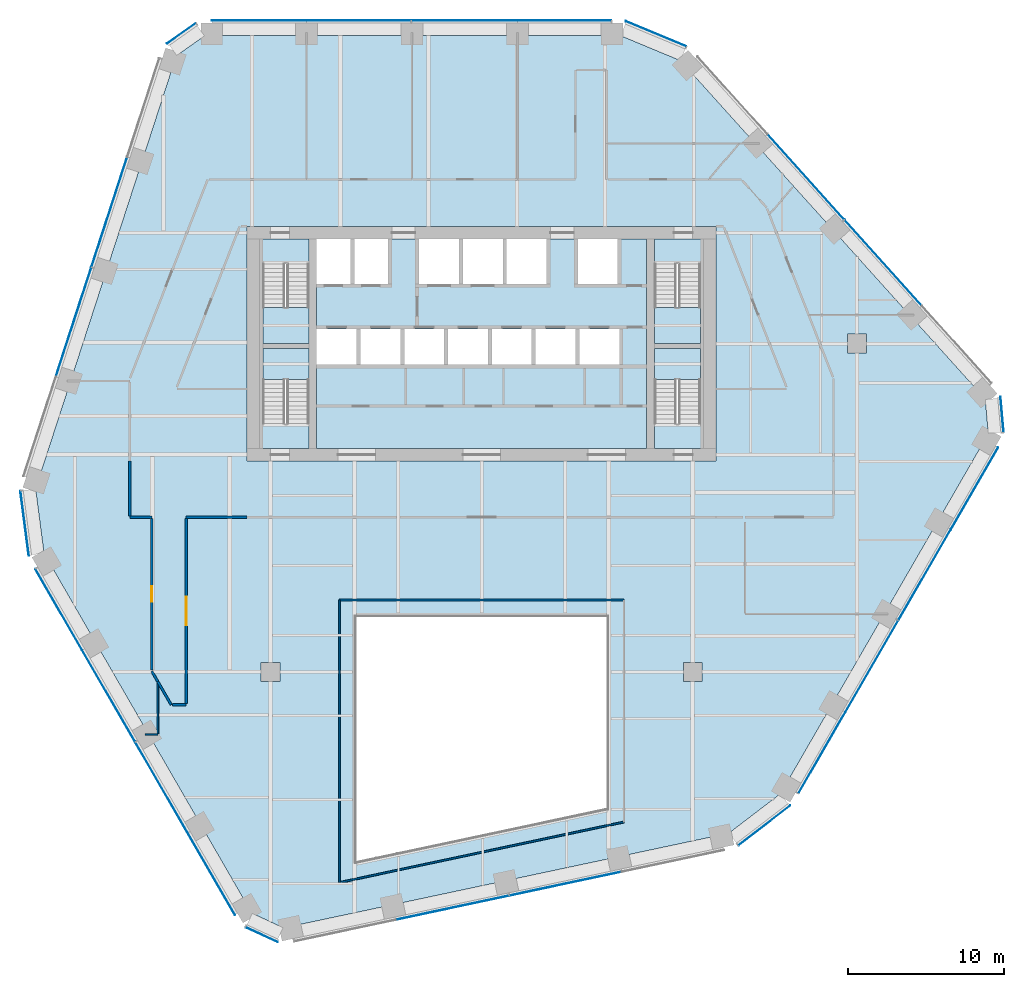
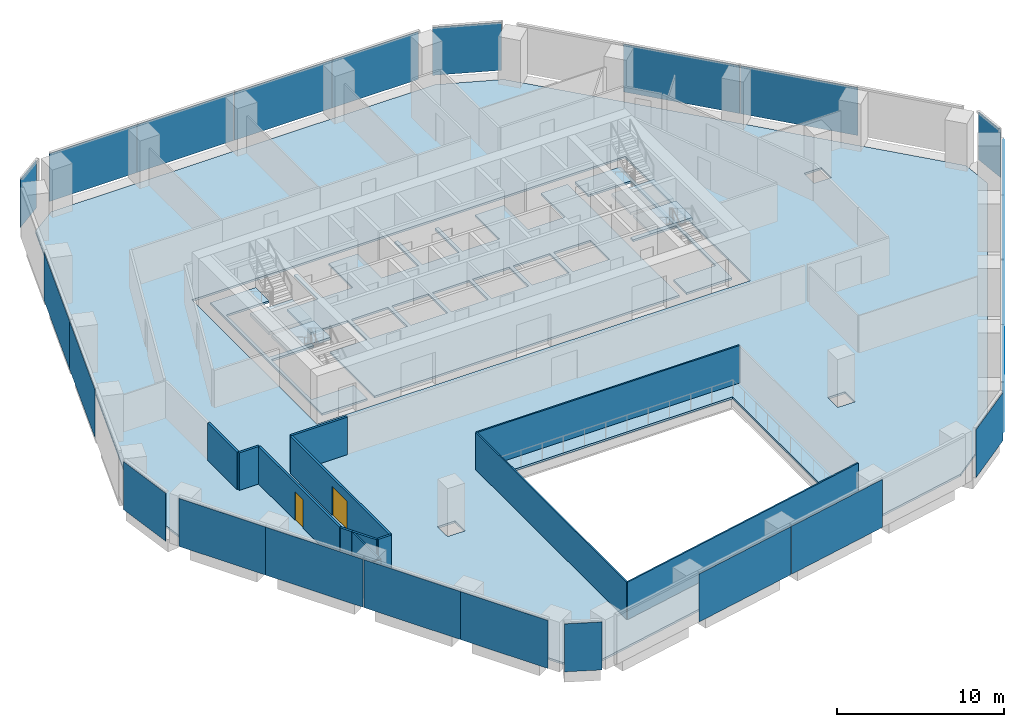
# One storey, part 10 of 16: 24 plates, 13 walls, 8 slabs, 2 doors, 2 openings, 16 elements without a shape of their own.
"""IFC4 building model written with IfcOpenShell, lengths in metres."""

from ifc_helpers import new_model, si_unit, direction, frame, frame_2d, origin, origin_2d, place, context, subcontext, project, spatial, polyline, rectangle, outline, extrude, material, layer, layer_set, type_object, element, fill, aggregate, save


model = new_model("IFC4")

# Units and contexts
model_context = context("Model", 3, precision=1e-05, world=origin(), true_north=direction((0.0, 1.0)))
body_context = subcontext(model_context, "Body", "Model", "MODEL_VIEW")
ifc_project = project(units=[si_unit("LENGTHUNIT", "METRE"), si_unit("AREAUNIT", "SQUARE_METRE"), si_unit("VOLUMEUNIT", "CUBIC_METRE"), si_unit("PLANEANGLEUNIT", "RADIAN"), si_unit("MASSUNIT", "GRAM", prefix="KILO")], contexts=[model_context])

# Site, building, storey
site_placement = place(None, origin())
site = spatial("IfcSite", under=ifc_project, at=site_placement, CompositionType="ELEMENT")
building_placement = place(site_placement, origin())
building = spatial("IfcBuilding", under=site, at=building_placement, Name="Isthmus Gate Tower", CompositionType="ELEMENT")
storey_placement = place(building_placement, frame((0.0, 0.0, 133.449951171875)))
storey = spatial("IfcBuildingStorey", under=building, at=storey_placement, Name="L32", CompositionType="ELEMENT", Elevation=133.449951171875)

# Slabs
ifc_material_1 = material(Name="Concrete f'c 40 MPa", Category="concrete")
ifc_layer_1 = layer(ifc_material_1, 0.14990234375)
ifc_layer_set_1 = layer_set([ifc_layer_1], Name="COMPOSITE FLOOR SLAB 150")
slab_type_1 = type_object("IfcSlabType", Name="COMPOSITE FLOOR SLAB 150", PredefinedType="FLOOR", material=ifc_layer_set_1)
slab_1_placement = place(storey_placement, frame((0.0, 0.0, -0.14990234375)))
element("IfcSlab", 1, at=slab_1_placement, inside=storey, type_object=slab_type_1, Name="str-slab-L32-1", PredefinedType="FLOOR", context=body_context, shape_type="SweptSolid", body=[
    extrude(outline(polyline([(12.72802734375, 25.599365234375), (32.21044921875, 3.9619140625), (32.410400390625, 1.736083984375), (19.116455078125, -21.289306640625), (15.8056640625, -23.822509765625), (-12.674072265625, -29.876220703125), (-14.701416015625, -28.936279296875), (-27.995361328125, -5.91064453125), (-28.53369140625, -1.77685546875), (-19.536376953125, 25.9140625), (-17.708740234375, 27.199951171875), (8.87890625, 27.199951171875), (12.72802734375, 25.599365234375)]), holes=[polyline([(-8.0, -10.0), (-8.0, -25.611083984375), (8.0, -22.210205078125), (8.0, -10.0), (-8.0, -10.0)]), polyline([(-14.10009765625, -12.89990234375), (-14.10009765625, -14.10009765625), (-12.89990234375, -14.10009765625), (-12.89990234375, -12.89990234375), (-14.10009765625, -12.89990234375)]), polyline([(14.10009765625, -12.89990234375), (12.89990234375, -12.89990234375), (12.89990234375, -14.10009765625), (14.10009765625, -14.10009765625), (14.10009765625, -12.89990234375)]), polyline([(-15.0, 15.0), (-15.0, 0.0), (15.0, 0.0), (15.0, 15.0), (-15.0, 15.0)]), polyline([(24.60009765625, 6.89990234375), (24.60009765625, 8.10009765625), (23.39990234375, 8.10009765625), (23.39990234375, 6.89990234375), (24.60009765625, 6.89990234375)])]), origin(), (0.0, 0.0, 1.0), 0.14990234375),
])
ifc_material_2 = material(Name="Concrete f'c 40 MPa", Category="concrete")
ifc_layer_2 = layer(ifc_material_2, 0.14990234375)
ifc_layer_set_2 = layer_set([ifc_layer_2], Name="CORE FLOOR SLAB 150")
slab_type_2 = type_object("IfcSlabType", Name="CORE FLOOR SLAB 150", PredefinedType="FLOOR", material=ifc_layer_set_2)
slab_2_placement = place(storey_placement, frame((0.0, 0.0, -0.14990234375)))
element("IfcSlab", 2, at=slab_2_placement, inside=storey, type_object=slab_type_2, Name="L32 core floor", PredefinedType="FLOOR", context=body_context, shape_type="SweptSolid", body=[
    extrude(outline(polyline([(-11.050048828125, 0.800048828125), (-11.050048828125, 2.402099609375), (-14.0, 2.402099609375), (-14.0, 7.199951171875), (-11.050048828125, 7.199951171875), (-11.050048828125, 7.5), (-14.0, 7.5), (-14.0, 12.597900390625), (-11.050048828125, 12.597900390625), (-11.050048828125, 14.199951171875), (-14.199951171875, 14.199951171875), (-14.199951171875, 0.800048828125), (-11.050048828125, 0.800048828125)])), origin(), (0.0, 0.0, 1.0), 0.14990234375),
])
slab_3_placement = place(storey_placement, frame((0.0, 0.0, -0.14990234375)))
element("IfcSlab", 3, at=slab_3_placement, inside=storey, type_object=slab_type_2, Name="L32 core floor", PredefinedType="FLOOR", context=body_context, shape_type="SweptSolid", body=[
    extrude(outline(polyline([(10.550048828125, 14.199951171875), (8.699951171875, 14.199951171875), (8.699951171875, 11.300048828125), (6.14990234375, 11.300048828125), (6.14990234375, 14.199951171875), (4.14990234375, 14.199951171875), (4.14990234375, 11.300048828125), (1.60009765625, 11.300048828125), (1.60009765625, 14.199951171875), (1.35009765625, 14.199951171875), (1.35009765625, 11.300048828125), (-1.199951171875, 11.300048828125), (-1.199951171875, 14.199951171875), (-1.449951171875, 14.199951171875), (-1.449951171875, 11.300048828125), (-4.0, 11.300048828125), (-4.0, 14.199951171875), (-6.0, 14.199951171875), (-6.0, 11.300048828125), (-8.14990234375, 11.300048828125), (-8.14990234375, 14.199951171875), (-8.39990234375, 14.199951171875), (-8.39990234375, 11.300048828125), (-10.550048828125, 11.300048828125), (-10.550048828125, 8.449951171875), (-8.0, 8.449951171875), (-8.0, 6.14990234375), (-10.550048828125, 6.14990234375), (-10.550048828125, 0.800048828125), (10.550048828125, 0.800048828125), (10.550048828125, 14.199951171875)]), holes=[polyline([(-5.199951171875, 8.449951171875), (-5.199951171875, 6.14990234375), (-7.75, 6.14990234375), (-7.75, 8.449951171875), (-5.199951171875, 8.449951171875)]), polyline([(-2.39990234375, 8.449951171875), (-2.39990234375, 6.14990234375), (-4.949951171875, 6.14990234375), (-4.949951171875, 8.449951171875), (-2.39990234375, 8.449951171875)]), polyline([(0.39990234375, 8.449951171875), (0.39990234375, 6.14990234375), (-2.14990234375, 6.14990234375), (-2.14990234375, 8.449951171875), (0.39990234375, 8.449951171875)]), polyline([(3.199951171875, 8.449951171875), (3.199951171875, 6.14990234375), (0.64990234375, 6.14990234375), (0.64990234375, 8.449951171875), (3.199951171875, 8.449951171875)]), polyline([(6.0, 8.449951171875), (6.0, 6.14990234375), (3.449951171875, 6.14990234375), (3.449951171875, 8.449951171875), (6.0, 8.449951171875)]), polyline([(8.800048828125, 8.449951171875), (8.800048828125, 6.14990234375), (6.25, 6.14990234375), (6.25, 8.449951171875), (8.800048828125, 8.449951171875)])]), origin(), (0.0, 0.0, 1.0), 0.14990234375),
])
slab_4_placement = place(storey_placement, frame((0.0, 0.0, -0.14990234375)))
element("IfcSlab", 4, at=slab_4_placement, inside=storey, type_object=slab_type_2, Name="L32 core floor", PredefinedType="FLOOR", context=body_context, shape_type="SweptSolid", body=[
    extrude(outline(polyline([(11.050048828125, 14.199951171875), (11.050048828125, 12.597900390625), (14.0, 12.597900390625), (14.0, 7.5), (11.050048828125, 7.5), (11.050048828125, 7.199951171875), (14.0, 7.199951171875), (14.0, 2.402099609375), (11.050048828125, 2.402099609375), (11.050048828125, 0.800048828125), (14.199951171875, 0.800048828125), (14.199951171875, 14.199951171875), (11.050048828125, 14.199951171875)])), origin(), (0.0, 0.0, 1.0), 0.14990234375),
])

# Curtain wall, plates
ifc_material_3 = material(Name="Aluminium, pale champagne anodised", Category="aluminium")
ifc_layer_3 = layer(ifc_material_3, 0.199951171875)
ifc_layer_set_3 = layer_set([ifc_layer_3], Name="CW-1 UNITISED CURTAIN WALL 200 DEEP")
curtain_wall_type = type_object("IfcCurtainWallType", Name="CW-1 UNITISED CURTAIN WALL 200 DEEP", PredefinedType="NOTDEFINED", material=ifc_layer_set_3)
curtain_wall_1_placement = place(storey_placement, origin())
curtain_wall_1 = element("IfcCurtainWall", 5, at=curtain_wall_1_placement, inside=storey, type_object=curtain_wall_type, Name="CW-1 N L32", PredefinedType="NOTDEFINED")
ifc_material_4 = material(Name="Laminated low-iron glass, pale blue tint", Category="glass")
ifc_layer_4 = layer(ifc_material_4, 0.035888671875)
ifc_layer_set_4 = layer_set([ifc_layer_4], Name="CW-1 CLEAR GLASS LITE 36")
plate_type = type_object("IfcPlateType", Name="CW-1 CLEAR GLASS LITE 36", PredefinedType="CURTAIN_PANEL", material=ifc_layer_set_4)
plate_1_placement = place(storey_placement, frame((5.283447265625, 28.181884765625, 0.0), z_axis=(0.0, 0.0, 1.0), x_axis=(-1.0, 0.0, 0.0)))
plate_1 = element("IfcPlate", 6, at=plate_1_placement, type_object=plate_type, Name="CW-1 glass lite", PredefinedType="CURTAIN_PANEL", context=body_context, shape_type="SweptSolid", body=[
    extrude(rectangle(XDim=5.990234375, YDim=0.035888671875, at=origin_2d()), origin(), (0.0, 0.0, 1.0), 3.510009765625),
])
plate_2_placement = place(storey_placement, frame((-1.086669921875, 28.181884765625, 0.0), z_axis=(0.0, 0.0, 1.0), x_axis=(-1.0, 0.0, 0.0)))
plate_2 = element("IfcPlate", 7, at=plate_2_placement, type_object=plate_type, Name="CW-1 glass lite", PredefinedType="CURTAIN_PANEL", context=body_context, shape_type="SweptSolid", body=[
    extrude(rectangle(XDim=6.750244140625, YDim=0.035888671875, at=origin_2d()), origin(), (0.0, 0.0, 1.0), 3.510009765625),
])
plate_3_placement = place(storey_placement, frame((-7.86669921875, 28.181884765625, 0.0), z_axis=(0.0, 0.0, 1.0), x_axis=(-1.0, 0.0, 0.0)))
plate_3 = element("IfcPlate", 8, at=plate_3_placement, type_object=plate_type, Name="CW-1 glass lite", PredefinedType="CURTAIN_PANEL", context=body_context, shape_type="SweptSolid", body=[
    extrude(rectangle(XDim=6.690185546875, YDim=0.035888671875, at=origin_2d()), origin(), (0.0, 0.0, 1.0), 3.510009765625),
])
plate_4_placement = place(storey_placement, frame((-14.23681640625, 28.181884765625, 0.0), z_axis=(0.0, 0.0, 1.0), x_axis=(-1.0, 0.0, 0.0)))
plate_4 = element("IfcPlate", 9, at=plate_4_placement, type_object=plate_type, Name="CW-1 glass lite", PredefinedType="CURTAIN_PANEL", context=body_context, shape_type="SweptSolid", body=[
    extrude(rectangle(XDim=6.050048828125, YDim=0.035888671875, at=origin_2d()), origin(), (0.0, 0.0, 1.0), 3.510009765625),
])
aggregate(curtain_wall_1, [plate_1, plate_2, plate_3, plate_4])

# Curtain wall, plate
curtain_wall_2_placement = place(storey_placement, origin())
curtain_wall_2 = element("IfcCurtainWall", 10, at=curtain_wall_2_placement, inside=storey, type_object=curtain_wall_type, Name="CW-1 N-NW L32", PredefinedType="NOTDEFINED")
plate_5_placement = place(storey_placement, frame((-19.2119140625, 27.343017578125, 0.0), z_axis=(0.0, 0.0, 1.0), x_axis=(-0.81785959165, -0.57541783805, 0.0)))
plate_5 = element("IfcPlate", 11, at=plate_5_placement, type_object=plate_type, Name="CW-1 glass lite", PredefinedType="CURTAIN_PANEL", context=body_context, shape_type="SweptSolid", body=[
    extrude(rectangle(XDim=2.258544921875, YDim=0.035888671875, at=origin_2d()), origin(), (0.0, 0.0, 1.0), 3.510009765625),
])
aggregate(curtain_wall_2, [plate_5])

# Curtain wall, plates
curtain_wall_3_placement = place(storey_placement, origin())
curtain_wall_3 = element("IfcCurtainWall", 12, at=curtain_wall_3_placement, inside=storey, type_object=curtain_wall_type, Name="CW-1 NW L32", PredefinedType="NOTDEFINED")
plate_6_placement = place(storey_placement, frame((-23.813720703125, 15.927490234375, 0.0), z_axis=(0.0, 0.0, 1.0), x_axis=(-0.309016994375, -0.951056516295, 0.0)))
plate_6 = element("IfcPlate", 13, at=plate_6_placement, type_object=plate_type, Name="CW-1 glass lite", PredefinedType="CURTAIN_PANEL", context=body_context, shape_type="SweptSolid", body=[
    extrude(rectangle(XDim=7.390869140625, YDim=0.035888671875, at=origin_2d()), origin(), (0.0, 0.0, 1.0), 3.510009765625),
])
plate_7_placement = place(storey_placement, frame((-26.10693359375, 8.8701171875, 0.0), z_axis=(0.0, 0.0, 1.0), x_axis=(-0.309016994375, -0.951056516295, 0.0)))
plate_7 = element("IfcPlate", 14, at=plate_7_placement, type_object=plate_type, Name="CW-1 glass lite", PredefinedType="CURTAIN_PANEL", context=body_context, shape_type="SweptSolid", body=[
    extrude(rectangle(XDim=7.330810546875, YDim=0.035888671875, at=origin_2d()), origin(), (0.0, 0.0, 1.0), 3.510009765625),
])
aggregate(curtain_wall_3, [plate_6, plate_7])

# Curtain wall, plate
curtain_wall_4_placement = place(storey_placement, origin())
curtain_wall_4 = element("IfcCurtainWall", 15, at=curtain_wall_4_placement, inside=storey, type_object=curtain_wall_type, Name="CW-1 NW-SW L32", PredefinedType="NOTDEFINED")
plate_8_placement = place(storey_placement, frame((-29.234619140625, -3.9990234375, 0.0), z_axis=(0.0, 0.0, 1.0), x_axis=(0.129164534, -0.991623175988, 0.0)))
plate_8 = element("IfcPlate", 16, at=plate_8_placement, type_object=plate_type, Name="CW-1 glass lite", PredefinedType="CURTAIN_PANEL", context=body_context, shape_type="SweptSolid", body=[
    extrude(rectangle(XDim=4.181396484375, YDim=0.035888671875, at=origin_2d()), origin(), (0.0, 0.0, 1.0), 3.510009765625),
])
aggregate(curtain_wall_4, [plate_8])

# Curtain wall, plates
curtain_wall_5_placement = place(storey_placement, origin())
curtain_wall_5 = element("IfcCurtainWall", 17, at=curtain_wall_5_placement, inside=storey, type_object=curtain_wall_type, Name="CW-1 SW L32", PredefinedType="NOTDEFINED")
plate_9_placement = place(storey_placement, frame((-27.048095703125, -9.515380859375, 0.0), z_axis=(0.0, 0.0, 1.0), x_axis=(0.5, -0.866025403784, 0.0)))
plate_9 = element("IfcPlate", 18, at=plate_9_placement, type_object=plate_type, Name="CW-1 glass lite", PredefinedType="CURTAIN_PANEL", context=body_context, shape_type="SweptSolid", body=[
    extrude(rectangle(XDim=5.990234375, YDim=0.035888671875, at=origin_2d()), origin(), (0.0, 0.0, 1.0), 3.510009765625),
])
plate_10_placement = place(storey_placement, frame((-23.863037109375, -15.031982421875, 0.0), z_axis=(0.0, 0.0, 1.0), x_axis=(0.5, -0.866025403784, 0.0)))
plate_10 = element("IfcPlate", 19, at=plate_10_placement, type_object=plate_type, Name="CW-1 glass lite", PredefinedType="CURTAIN_PANEL", context=body_context, shape_type="SweptSolid", body=[
    extrude(rectangle(XDim=6.750244140625, YDim=0.035888671875, at=origin_2d()), origin(), (0.0, 0.0, 1.0), 3.510009765625),
])
plate_11_placement = place(storey_placement, frame((-20.472900390625, -20.90380859375, 0.0), z_axis=(0.0, 0.0, 1.0), x_axis=(0.5, -0.866025403784, 0.0)))
plate_11 = element("IfcPlate", 20, at=plate_11_placement, type_object=plate_type, Name="CW-1 glass lite", PredefinedType="CURTAIN_PANEL", context=body_context, shape_type="SweptSolid", body=[
    extrude(rectangle(XDim=6.690185546875, YDim=0.035888671875, at=origin_2d()), origin(), (0.0, 0.0, 1.0), 3.510009765625),
])
plate_12_placement = place(storey_placement, frame((-17.287841796875, -26.42041015625, 0.0), z_axis=(0.0, 0.0, 1.0), x_axis=(0.5, -0.866025403784, 0.0)))
plate_12 = element("IfcPlate", 21, at=plate_12_placement, type_object=plate_type, Name="CW-1 glass lite", PredefinedType="CURTAIN_PANEL", context=body_context, shape_type="SweptSolid", body=[
    extrude(rectangle(XDim=6.050048828125, YDim=0.035888671875, at=origin_2d()), origin(), (0.0, 0.0, 1.0), 3.510009765625),
])
aggregate(curtain_wall_5, [plate_9, plate_10, plate_11, plate_12])

# Curtain wall, plate
curtain_wall_6_placement = place(storey_placement, origin())
curtain_wall_6 = element("IfcCurtainWall", 22, at=curtain_wall_6_placement, inside=storey, type_object=curtain_wall_type, Name="CW-1 SW-S L32", PredefinedType="NOTDEFINED")
plate_13_placement = place(storey_placement, frame((-14.07373046875, -30.3095703125, 0.0), z_axis=(0.0, 0.0, 1.0), x_axis=(0.907256261367, -0.420578264073, 0.0)))
plate_13 = element("IfcPlate", 23, at=plate_13_placement, type_object=plate_type, Name="CW-1 glass lite", PredefinedType="CURTAIN_PANEL", context=body_context, shape_type="SweptSolid", body=[
    extrude(rectangle(XDim=2.258544921875, YDim=0.035888671875, at=origin_2d()), origin(), (0.0, 0.0, 1.0), 3.510009765625),
])
aggregate(curtain_wall_6, [plate_13])

# Curtain wall, plates
curtain_wall_7_placement = place(storey_placement, origin())
curtain_wall_7 = element("IfcCurtainWall", 24, at=curtain_wall_7_placement, inside=storey, type_object=curtain_wall_type, Name="CW-1 S L32", PredefinedType="NOTDEFINED")
plate_14_placement = place(storey_placement, frame((-1.88671875, -28.587158203125, 0.0), z_axis=(0.0, 0.0, 1.0), x_axis=(0.978147600734, 0.207911690818, 0.0)))
plate_14 = element("IfcPlate", 25, at=plate_14_placement, type_object=plate_type, Name="CW-1 glass lite", PredefinedType="CURTAIN_PANEL", context=body_context, shape_type="SweptSolid", body=[
    extrude(rectangle(XDim=7.390869140625, YDim=0.035888671875, at=origin_2d()), origin(), (0.0, 0.0, 1.0), 3.510009765625),
])
plate_15_placement = place(storey_placement, frame((5.371826171875, -27.044189453125, 0.0), z_axis=(0.0, 0.0, 1.0), x_axis=(0.978147600734, 0.207911690818, 0.0)))
plate_15 = element("IfcPlate", 26, at=plate_15_placement, type_object=plate_type, Name="CW-1 glass lite", PredefinedType="CURTAIN_PANEL", context=body_context, shape_type="SweptSolid", body=[
    extrude(rectangle(XDim=7.330810546875, YDim=0.035888671875, at=origin_2d()), origin(), (0.0, 0.0, 1.0), 3.510009765625),
])
aggregate(curtain_wall_7, [plate_14, plate_15])

# Curtain wall, plate
curtain_wall_8_placement = place(storey_placement, origin())
curtain_wall_8 = element("IfcCurtainWall", 27, at=curtain_wall_8_placement, inside=storey, type_object=curtain_wall_type, Name="CW-1 S-SE L32", PredefinedType="NOTDEFINED")
plate_16_placement = place(storey_placement, frame((18.08056640625, -23.318359375, 0.0), z_axis=(0.0, 0.0, 1.0), x_axis=(0.794188594387, 0.607671355706, 0.0)))
plate_16 = element("IfcPlate", 28, at=plate_16_placement, type_object=plate_type, Name="CW-1 glass lite", PredefinedType="CURTAIN_PANEL", context=body_context, shape_type="SweptSolid", body=[
    extrude(rectangle(XDim=4.181396484375, YDim=0.035888671875, at=origin_2d()), origin(), (0.0, 0.0, 1.0), 3.510009765625),
])
aggregate(curtain_wall_8, [plate_16])

# Curtain wall, plates
curtain_wall_9_placement = place(storey_placement, origin())
curtain_wall_9 = element("IfcCurtainWall", 29, at=curtain_wall_9_placement, inside=storey, type_object=curtain_wall_type, Name="CW-1 SE L32", PredefinedType="NOTDEFINED")
plate_17_placement = place(storey_placement, frame((21.7646484375, -18.666748046875, 0.0), z_axis=(0.0, 0.0, 1.0), x_axis=(0.5, 0.866025403784, 0.0)))
plate_17 = element("IfcPlate", 30, at=plate_17_placement, type_object=plate_type, Name="CW-1 glass lite", PredefinedType="CURTAIN_PANEL", context=body_context, shape_type="SweptSolid", body=[
    extrude(rectangle(XDim=5.990234375, YDim=0.035888671875, at=origin_2d()), origin(), (0.0, 0.0, 1.0), 3.510009765625),
])
plate_18_placement = place(storey_placement, frame((24.94970703125, -13.14990234375, 0.0), z_axis=(0.0, 0.0, 1.0), x_axis=(0.5, 0.866025403784, 0.0)))
plate_18 = element("IfcPlate", 31, at=plate_18_placement, type_object=plate_type, Name="CW-1 glass lite", PredefinedType="CURTAIN_PANEL", context=body_context, shape_type="SweptSolid", body=[
    extrude(rectangle(XDim=6.750244140625, YDim=0.035888671875, at=origin_2d()), origin(), (0.0, 0.0, 1.0), 3.510009765625),
])
plate_19_placement = place(storey_placement, frame((28.339599609375, -7.278076171875, 0.0), z_axis=(0.0, 0.0, 1.0), x_axis=(0.5, 0.866025403784, 0.0)))
plate_19 = element("IfcPlate", 32, at=plate_19_placement, type_object=plate_type, Name="CW-1 glass lite", PredefinedType="CURTAIN_PANEL", context=body_context, shape_type="SweptSolid", body=[
    extrude(rectangle(XDim=6.690185546875, YDim=0.035888671875, at=origin_2d()), origin(), (0.0, 0.0, 1.0), 3.510009765625),
])
plate_20_placement = place(storey_placement, frame((31.524658203125, -1.761474609375, 0.0), z_axis=(0.0, 0.0, 1.0), x_axis=(0.5, 0.866025403784, 0.0)))
plate_20 = element("IfcPlate", 33, at=plate_20_placement, type_object=plate_type, Name="CW-1 glass lite", PredefinedType="CURTAIN_PANEL", context=body_context, shape_type="SweptSolid", body=[
    extrude(rectangle(XDim=6.050048828125, YDim=0.035888671875, at=origin_2d()), origin(), (0.0, 0.0, 1.0), 3.510009765625),
])
aggregate(curtain_wall_9, [plate_17, plate_18, plate_19, plate_20])

# Curtain wall, plate
curtain_wall_10_placement = place(storey_placement, origin())
curtain_wall_10 = element("IfcCurtainWall", 34, at=curtain_wall_10_placement, inside=storey, type_object=curtain_wall_type, Name="CW-1 SE-NE L32", PredefinedType="NOTDEFINED")
plate_21_placement = place(storey_placement, frame((33.285888671875, 2.966552734375, 0.0), z_axis=(0.0, 0.0, 1.0), x_axis=(-0.089396669717, 0.995996102123, 0.0)))
plate_21 = element("IfcPlate", 35, at=plate_21_placement, type_object=plate_type, Name="CW-1 glass lite", PredefinedType="CURTAIN_PANEL", context=body_context, shape_type="SweptSolid", body=[
    extrude(rectangle(XDim=2.258544921875, YDim=0.035888671875, at=origin_2d()), origin(), (0.0, 0.0, 1.0), 3.510009765625),
])
aggregate(curtain_wall_10, [plate_21])

# Curtain wall, plates
curtain_wall_11_placement = place(storey_placement, origin())
curtain_wall_11 = element("IfcCurtainWall", 36, at=curtain_wall_11_placement, inside=storey, type_object=curtain_wall_type, Name="CW-1 NE L32", PredefinedType="NOTDEFINED")
plate_22_placement = place(storey_placement, frame((25.70068359375, 12.659423828125, 0.0), z_axis=(0.0, 0.0, 1.0), x_axis=(-0.669130606359, 0.743144825477, 0.0)))
plate_22 = element("IfcPlate", 37, at=plate_22_placement, type_object=plate_type, Name="CW-1 glass lite", PredefinedType="CURTAIN_PANEL", context=body_context, shape_type="SweptSolid", body=[
    extrude(rectangle(XDim=7.390869140625, YDim=0.035888671875, at=origin_2d()), origin(), (0.0, 0.0, 1.0), 3.510009765625),
])
plate_23_placement = place(storey_placement, frame((20.735107421875, 18.17431640625, 0.0), z_axis=(0.0, 0.0, 1.0), x_axis=(-0.669130606359, 0.743144825477, 0.0)))
plate_23 = element("IfcPlate", 38, at=plate_23_placement, type_object=plate_type, Name="CW-1 glass lite", PredefinedType="CURTAIN_PANEL", context=body_context, shape_type="SweptSolid", body=[
    extrude(rectangle(XDim=7.330810546875, YDim=0.035888671875, at=origin_2d()), origin(), (0.0, 0.0, 1.0), 3.510009765625),
])
aggregate(curtain_wall_11, [plate_22, plate_23])

# Curtain wall, plate
curtain_wall_12_placement = place(storey_placement, origin())
curtain_wall_12 = element("IfcCurtainWall", 39, at=curtain_wall_12_placement, inside=storey, type_object=curtain_wall_type, Name="CW-1 NE-N L32", PredefinedType="NOTDEFINED")
plate_24_placement = place(storey_placement, frame((11.154052734375, 27.3173828125, 0.0), z_axis=(0.0, 0.0, 1.0), x_axis=(-0.923353128387, 0.383951820282, 0.0)))
plate_24 = element("IfcPlate", 40, at=plate_24_placement, type_object=plate_type, Name="CW-1 glass lite", PredefinedType="CURTAIN_PANEL", context=body_context, shape_type="SweptSolid", body=[
    extrude(rectangle(XDim=4.181396484375, YDim=0.035888671875, at=origin_2d()), origin(), (0.0, 0.0, 1.0), 3.510009765625),
])
aggregate(curtain_wall_12, [plate_24])

# Stair, slab
ifc_material_5 = material(Name="Concrete f'c 40 MPa", Category="concrete")
stair_type = type_object("IfcStairType", Name="CORE STAIR 22 RISERS", PredefinedType="HALF_TURN_STAIR", material=ifc_material_5)
stair_1_placement = place(storey_placement, origin())
stair_1 = element("IfcStair", 41, at=stair_1_placement, inside=storey, type_object=stair_type, Name="L32 Exit Stair 1", PredefinedType="HALF_TURN_STAIR")
ifc_material_6 = material(Name="Concrete f'c 40 MPa", Category="concrete")
ifc_layer_5 = layer(ifc_material_6, 0.199951171875)
ifc_layer_set_5 = layer_set([ifc_layer_5])
slab_type_3 = type_object("IfcSlabType", Name="STAIR LANDING RC 200", PredefinedType="LANDING", material=ifc_layer_set_5)
slab_5_placement = place(storey_placement, frame((0.0, 0.0, 1.625)))
slab_5 = element("IfcSlab", 42, at=slab_5_placement, type_object=slab_type_3, Name="ST1 landing 1", PredefinedType="LANDING", context=body_context, shape_type="SweptSolid", body=[
    extrude(outline(polyline([(-14.0, 9.800048828125), (-14.0, 7.5), (-11.050048828125, 7.5), (-11.050048828125, 9.800048828125), (-14.0, 9.800048828125)])), origin(), (0.0, 0.0, 1.0), 0.199951171875),
])
aggregate(stair_1, [slab_5])

stair_2_placement = place(storey_placement, origin())
stair_2 = element("IfcStair", 43, at=stair_2_placement, inside=storey, type_object=stair_type, Name="L32 Exit Stair 2", PredefinedType="HALF_TURN_STAIR")
slab_6_placement = place(storey_placement, frame((0.0, 0.0, 1.625)))
slab_6 = element("IfcSlab", 44, at=slab_6_placement, type_object=slab_type_3, Name="ST2 landing 1", PredefinedType="LANDING", context=body_context, shape_type="SweptSolid", body=[
    extrude(outline(polyline([(11.050048828125, 9.800048828125), (11.050048828125, 7.5), (14.0, 7.5), (14.0, 9.800048828125), (11.050048828125, 9.800048828125)])), origin(), (0.0, 0.0, 1.0), 0.199951171875),
])
aggregate(stair_2, [slab_6])

stair_3_placement = place(storey_placement, origin())
stair_3 = element("IfcStair", 45, at=stair_3_placement, inside=storey, type_object=stair_type, Name="L32 Exit Stair 7", PredefinedType="HALF_TURN_STAIR")
slab_7_placement = place(storey_placement, frame((0.0, 0.0, 1.625)))
slab_7 = element("IfcSlab", 46, at=slab_7_placement, type_object=slab_type_3, Name="ST7 landing 1", PredefinedType="LANDING", context=body_context, shape_type="SweptSolid", body=[
    extrude(outline(polyline([(-11.050048828125, 5.199951171875), (-11.050048828125, 7.199951171875), (-14.0, 7.199951171875), (-14.0, 5.199951171875), (-11.050048828125, 5.199951171875)])), origin(), (0.0, 0.0, 1.0), 0.199951171875),
])
aggregate(stair_3, [slab_7])

stair_4_placement = place(storey_placement, origin())
stair_4 = element("IfcStair", 47, at=stair_4_placement, inside=storey, type_object=stair_type, Name="L32 Exit Stair 8", PredefinedType="HALF_TURN_STAIR")
slab_8_placement = place(storey_placement, frame((0.0, 0.0, 1.625)))
slab_8 = element("IfcSlab", 48, at=slab_8_placement, type_object=slab_type_3, Name="ST8 landing 1", PredefinedType="LANDING", context=body_context, shape_type="SweptSolid", body=[
    extrude(outline(polyline([(14.0, 5.199951171875), (14.0, 7.199951171875), (11.050048828125, 7.199951171875), (11.050048828125, 5.199951171875), (14.0, 5.199951171875)])), origin(), (0.0, 0.0, 1.0), 0.199951171875),
])
aggregate(stair_4, [slab_8])

# Walls
ifc_material_7 = material(Name="Fire-rated laminated glass in steel frame", Category="steel")
ifc_layer_6 = layer(ifc_material_7, 0.10009765625)
ifc_layer_set_6 = layer_set([ifc_layer_6], Name="ATRIUM SCREEN GLAZED WALL 100 120 MIN")
wall_type_1 = type_object("IfcWallType", Name="ATRIUM SCREEN GLAZED WALL 100 120 MIN", PredefinedType="PARTITIONING", material=ifc_layer_set_6)
wall_1_placement = place(storey_placement, frame((-9.10009765625, -8.89990234375, 0.0), z_axis=(0.0, 0.0, 1.0), x_axis=(1.0, 0.0, 0.0)))
element("IfcWall", 49, at=wall_1_placement, inside=storey, type_object=wall_type_1, Name="L32 atrium screen", PredefinedType="PARTITIONING", context=body_context, shape_type="SweptSolid", body=[
    extrude(rectangle(XDim=18.2001953125, YDim=0.10009765625, at=frame_2d((9.10009765625, 0.0))), origin(), (0.0, 0.0, 1.0), 2.7412109375),
])
wall_2_placement = place(storey_placement, frame((9.10009765625, -23.100830078125, 0.0), z_axis=(0.0, 0.0, 1.0), x_axis=(-0.978146710971, -0.207915876778, 0.0)))
element("IfcWall", 50, at=wall_2_placement, inside=storey, type_object=wall_type_1, Name="L32 atrium screen", PredefinedType="PARTITIONING", context=body_context, shape_type="SweptSolid", body=[
    extrude(rectangle(XDim=18.60693359375, YDim=0.10009765625, at=frame_2d((9.303466796875, 0.0))), origin(), (0.0, 0.0, 1.0), 2.7412109375),
])
wall_3_placement = place(storey_placement, frame((-9.10009765625, -26.969482421875, 0.0), z_axis=(0.0, 0.0, 1.0), x_axis=(0.0, 1.0, 0.0)))
element("IfcWall", 51, at=wall_3_placement, inside=storey, type_object=wall_type_1, Name="L32 atrium screen", PredefinedType="PARTITIONING", context=body_context, shape_type="SweptSolid", body=[
    extrude(rectangle(XDim=18.069580078125, YDim=0.10009765625, at=frame_2d((9.03466796875, 0.0))), origin(), (0.0, 0.0, 1.0), 2.7412109375),
])
ifc_material_8 = material(Name="Gypsum board on steel studs, fire-rated", Category="steel")
ifc_layer_7 = layer(ifc_material_8, 0.14990234375)
ifc_layer_set_7 = layer_set([ifc_layer_7], Name="CORRIDOR WALL 150 60 MIN")
wall_type_2 = type_object("IfcWallType", Name="CORRIDOR WALL 150 60 MIN", PredefinedType="PARTITIONING", material=ifc_layer_set_7)
wall_4_placement = place(storey_placement, frame((-21.10009765625, -3.60009765625, 0.0), z_axis=(0.0, 0.0, 1.0), x_axis=(-1.0, 0.0, 0.0)))
element("IfcWall", 52, at=wall_4_placement, inside=storey, type_object=wall_type_2, Name="L32 Corridor Wall 150 60 Min", PredefinedType="PARTITIONING", context=body_context, shape_type="SweptSolid", body=[
    extrude(rectangle(XDim=1.39990234375, YDim=0.14990234375, at=frame_2d((0.699951171875, 0.0))), origin(), (0.0, 0.0, 1.0), 2.7412109375),
])
wall_5_placement = place(storey_placement, frame((-15.0, -3.60009765625, 0.0), z_axis=(0.0, 0.0, 1.0), x_axis=(-1.0, 0.0, 0.0)))
element("IfcWall", 53, at=wall_5_placement, inside=storey, type_object=wall_type_2, Name="L32 Corridor Wall 150 60 Min", PredefinedType="PARTITIONING", context=body_context, shape_type="SweptSolid", body=[
    extrude(rectangle(XDim=3.89990234375, YDim=0.14990234375, at=frame_2d((1.949951171875, 0.0))), origin(), (0.0, 0.0, 1.0), 2.7412109375),
])
wall_6_placement = place(storey_placement, frame((-20.716064453125, -14.118896484375, 0.0), z_axis=(0.0, 0.0, 1.0), x_axis=(-0.500208722528, 0.865904864236, 0.0)))
element("IfcWall", 54, at=wall_6_placement, inside=storey, type_object=wall_type_2, Name="L32 Corridor Wall 150 60 Min", PredefinedType="PARTITIONING", context=body_context, shape_type="SweptSolid", body=[
    extrude(rectangle(XDim=0.767822265625, YDim=0.14990234375, at=frame_2d((0.3837890625, 0.0))), origin(), (0.0, 0.0, 1.0), 2.7412109375),
])
wall_7_placement = place(storey_placement, frame((-19.861083984375, -15.60009765625, 0.0), z_axis=(0.0, 0.0, 1.0), x_axis=(-0.499916050814, 0.866073866445, 0.0)))
element("IfcWall", 55, at=wall_7_placement, inside=storey, type_object=wall_type_2, Name="L32 Corridor Wall 150 60 Min", PredefinedType="PARTITIONING", context=body_context, shape_type="SweptSolid", body=[
    extrude(rectangle(XDim=1.710205078125, YDim=0.14990234375, at=frame_2d((0.85498046875, 0.0))), origin(), (0.0, 0.0, 1.0), 2.7412109375),
])
wall_8_placement = place(storey_placement, frame((-18.89990234375, -15.60009765625, 0.0), z_axis=(0.0, 0.0, 1.0), x_axis=(-1.0, 0.0, 0.0)))
element("IfcWall", 56, at=wall_8_placement, inside=storey, type_object=wall_type_2, Name="L32 Corridor Wall 150 60 Min", PredefinedType="PARTITIONING", context=body_context, shape_type="SweptSolid", body=[
    extrude(rectangle(XDim=0.885986328125, YDim=0.14990234375, at=frame_2d((0.44287109375, 0.0))), origin(), (0.0, 0.0, 1.0), 2.7412109375),
])

# Wall, opening, door
wall_9_placement = place(storey_placement, frame((-18.89990234375, -3.675048828125, 0.0), z_axis=(0.0, 0.0, 1.0), x_axis=(0.0, -1.0, 0.0)))
wall_9 = element("IfcWall", 57, at=wall_9_placement, inside=storey, type_object=wall_type_2, Name="L32 Corridor Wall 150 60 Min", PredefinedType="PARTITIONING", context=body_context, shape_type="SweptSolid", body=[
    extrude(rectangle(XDim=11.849853515625, YDim=0.14990234375, at=frame_2d((5.9248046875, 0.0))), origin(), (0.0, 0.0, 1.0), 2.7412109375),
])
opening_1_placement = place(wall_9_placement, frame((5.02490234375, 0.0, 0.0)))
opening_1 = element("IfcOpeningElement", 58, at=opening_1_placement, cuts=wall_9, Name="Opening DT-T3A-10", PredefinedType="OPENING", context=body_context, shape_type="SweptSolid", body=[
    extrude(rectangle(XDim=1.800048828125, YDim=2.10009765625, at=frame_2d((0.89990234375, 1.050048828125))), frame((0.0, 0.0849609375, 0.0), z_axis=(0.0, -1.0, 0.0), x_axis=(1.0, 0.0, 0.0)), (0.0, 0.0, 1.0), 0.169921875),
])
ifc_material_9 = material(Name="Solid core timber door leaf, fire-rated", Category="wood")
door_type_1 = type_object("IfcDoorType", Name="FIRE DOOR ROOM 1800 X 2100 60 MIN", OperationType="DOUBLE_DOOR_DOUBLE_SWING", PredefinedType="DOOR", material=ifc_material_9)
door_1_placement = place(opening_1_placement, origin())
door_1 = element("IfcDoor", 59, at=door_1_placement, inside=storey, type_object=door_type_1, Name="L32 room door", OperationType="DOUBLE_DOOR_DOUBLE_SWING", OverallHeight=2.10009765625, OverallWidth=1.800048828125, PredefinedType="DOOR", context=body_context, shape_type="SweptSolid", body=[
    extrude(rectangle(XDim=1.800048828125, YDim=2.10009765625, at=frame_2d((0.89990234375, 1.050048828125))), frame((0.0, 0.02490234375, 0.0), z_axis=(0.0, -1.0, 0.0), x_axis=(1.0, 0.0, 0.0)), (0.0, 0.0, 1.0), 0.050048828125),
])
fill(opening_1, door_1)

# Wall
wall_10_placement = place(storey_placement, frame((-22.5, -3.52490234375, 0.0), z_axis=(0.0, 0.0, 1.0), x_axis=(0.0, 1.0, 0.0)))
element("IfcWall", 60, at=wall_10_placement, inside=storey, type_object=wall_type_2, Name="L32 Corridor Wall 150 60 Min", PredefinedType="PARTITIONING", context=body_context, shape_type="SweptSolid", body=[
    extrude(rectangle(XDim=3.52490234375, YDim=0.14990234375, at=frame_2d((1.762451171875, 0.0))), origin(), (0.0, 0.0, 1.0), 2.7412109375),
])

# Wall, opening, door
wall_11_placement = place(storey_placement, frame((-21.10009765625, -13.37890625, 0.0), z_axis=(0.0, 0.0, 1.0), x_axis=(0.0, 1.0, 0.0)))
wall_11 = element("IfcWall", 61, at=wall_11_placement, inside=storey, type_object=wall_type_2, Name="L32 Corridor Wall 150 60 Min", PredefinedType="PARTITIONING", context=body_context, shape_type="SweptSolid", body=[
    extrude(rectangle(XDim=9.703857421875, YDim=0.14990234375, at=frame_2d((4.85205078125, 0.0))), origin(), (0.0, 0.0, 1.0), 2.7412109375),
])
opening_2_placement = place(wall_11_placement, frame((4.35205078125, 0.0, 0.0)))
opening_2 = element("IfcOpeningElement", 62, at=opening_2_placement, cuts=wall_11, Name="Opening DT-T3A-08", PredefinedType="OPENING", context=body_context, shape_type="SweptSolid", body=[
    extrude(rectangle(XDim=1.0, YDim=2.10009765625, at=frame_2d((0.5, 1.050048828125))), frame((0.0, 0.0849609375, 0.0), z_axis=(0.0, -1.0, 0.0), x_axis=(1.0, 0.0, 0.0)), (0.0, 0.0, 1.0), 0.169921875),
])
ifc_material_10 = material(Name="Solid core timber door leaf, fire-rated", Category="wood")
door_type_2 = type_object("IfcDoorType", Name="FIRE DOOR ROOM 1000 X 2100 60 MIN", OperationType="SINGLE_SWING_LEFT", PredefinedType="DOOR", material=ifc_material_10)
door_2_placement = place(opening_2_placement, origin())
door_2 = element("IfcDoor", 63, at=door_2_placement, inside=storey, type_object=door_type_2, Name="L32 room door", OperationType="SINGLE_SWING_RIGHT", OverallHeight=2.10009765625, OverallWidth=1.0, PredefinedType="DOOR", context=body_context, shape_type="SweptSolid", body=[
    extrude(rectangle(XDim=1.0, YDim=2.10009765625, at=frame_2d((0.5, 1.050048828125))), frame((0.0, 0.02490234375, 0.0), z_axis=(0.0, -1.0, 0.0), x_axis=(1.0, 0.0, 0.0)), (0.0, 0.0, 1.0), 0.050048828125),
])
fill(opening_2, door_2)

# Walls
ifc_material_11 = material(Name="Gypsum board on steel studs, fire-rated", Category="steel")
ifc_layer_8 = layer(ifc_material_11, 0.10009765625)
ifc_layer_set_8 = layer_set([ifc_layer_8], Name="ROOM PARTITION 100 30 MIN")
wall_type_3 = type_object("IfcWallType", Name="ROOM PARTITION 100 30 MIN", PredefinedType="PARTITIONING", material=ifc_layer_set_8)
wall_12_placement = place(storey_placement, frame((-21.527099609375, -17.513916015625, 0.0), z_axis=(0.0, 0.0, 1.0), x_axis=(1.0, 0.0, 0.0)))
element("IfcWall", 64, at=wall_12_placement, inside=storey, type_object=wall_type_3, Name="L32 Room Partition 100 30 Min", PredefinedType="PARTITIONING", context=body_context, shape_type="SweptSolid", body=[
    extrude(rectangle(XDim=0.81103515625, YDim=0.10009765625, at=frame_2d((0.405517578125, 0.0))), origin(), (0.0, 0.0, 1.0), 2.7412109375),
])
wall_13_placement = place(storey_placement, frame((-20.716064453125, -17.464111328125, 0.0), z_axis=(0.0, 0.0, 1.0), x_axis=(0.0, 1.0, 0.0)))
element("IfcWall", 65, at=wall_13_placement, inside=storey, type_object=wall_type_3, Name="L32 Room Partition 100 30 Min", PredefinedType="PARTITIONING", context=body_context, shape_type="SweptSolid", body=[
    extrude(rectangle(XDim=3.27001953125, YDim=0.10009765625, at=frame_2d((1.635009765625, 0.0))), origin(), (0.0, 0.0, 1.0), 2.7412109375),
])

save(model, "model.ifc")
